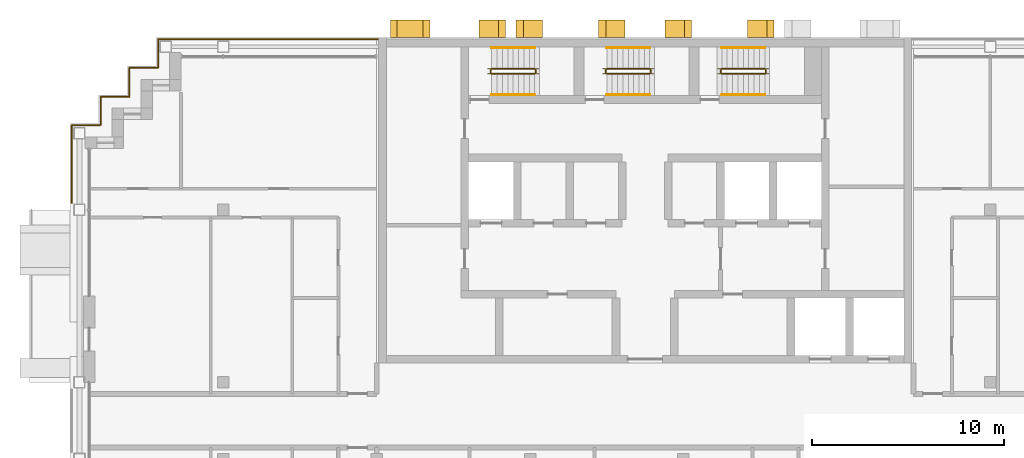
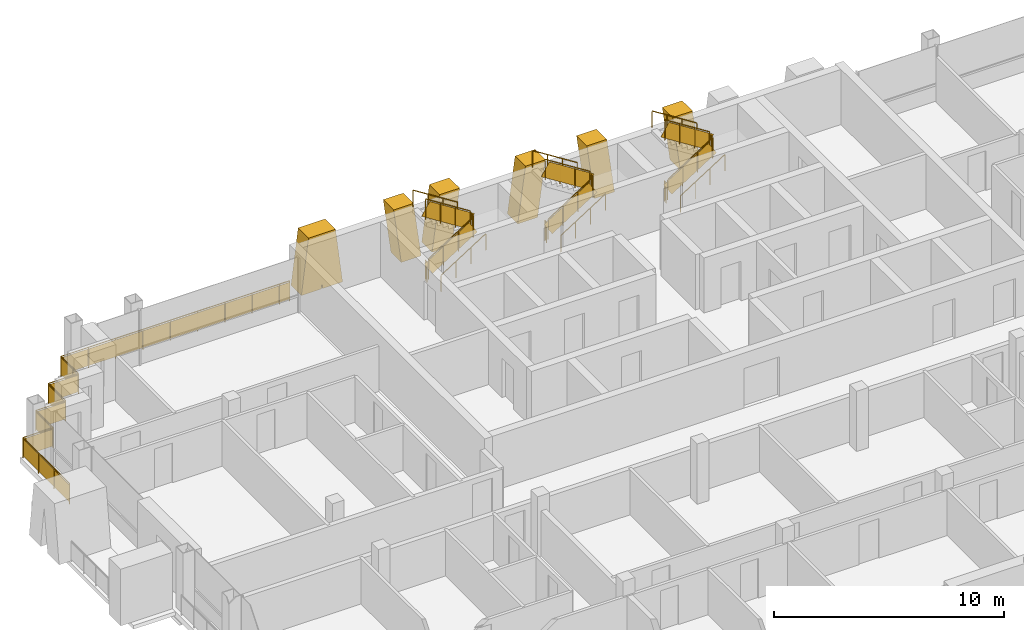
# One storey, part 14 of 15: 21 railings, 6 shading devices.
"""IFC4 building model written with IfcOpenShell, lengths in metres."""

from ifc_helpers import new_model, si_unit, direction, frame, origin, origin_2d, place, context, subcontext, project, spatial, polyline, rectangle, circle, outline, extrude, material, layer, layer_set, type_object, element, save


model = new_model("IFC4")

# Units and contexts
model_context = context("Model", 3, precision=1e-05, world=origin(), true_north=direction((0.0, 1.0)))
body_context = subcontext(model_context, "Body", "Model", "MODEL_VIEW")
ifc_project = project(units=[si_unit("LENGTHUNIT", "METRE"), si_unit("AREAUNIT", "SQUARE_METRE"), si_unit("VOLUMEUNIT", "CUBIC_METRE"), si_unit("PLANEANGLEUNIT", "RADIAN"), si_unit("MASSUNIT", "GRAM", prefix="KILO")], contexts=[model_context])

# Site, building, storey
site_placement = place(None, origin())
site = spatial("IfcSite", under=ifc_project, at=site_placement, CompositionType="ELEMENT")
building_placement = place(site_placement, origin())
building = spatial("IfcBuilding", under=site, at=building_placement, Name="Vidyagriha Tower", CompositionType="ELEMENT")
storey_placement = place(building_placement, frame((0.0, 0.0, 214.0)))
storey = spatial("IfcBuildingStorey", under=building, at=storey_placement, Name="L55", CompositionType="ELEMENT", Elevation=214.0)

# Shading devices
ifc_material_1 = material(Name="Precast concrete C40/50 with brick facing", Category="concrete")
ifc_layer_1 = layer(ifc_material_1, 1.0)
ifc_layer_set_1 = layer_set([ifc_layer_1], Name="Precast concrete C40/50 with brick facing")
shading_device_type_1 = type_object("IfcShadingDeviceType", Name="Brick-faced rear rib arm leaning 8 degrees", PredefinedType="USERDEFINED", material=ifc_layer_set_1)
for number, where, z_axis, x_axis, name in (
    (1, (6.728515625, 20.449951171875, 0.0), (0.0, 0.0, 1.0), (-1.0, 0.0, 0.0), "Rear rib arm L55 R08.2a"),
    (2, (2.4287109375, 20.449951171875, 0.0), (0.0, 0.0, 1.0), (-1.0, 0.0, 0.0), "Rear rib arm L55 R08.3a"),
):
    element("IfcShadingDevice", number, at=place(storey_placement, frame(where, z_axis=z_axis, x_axis=x_axis)), inside=storey, type_object=shading_device_type_1, Name=name, ObjectType="BLADE FIN", PredefinedType="USERDEFINED", context=body_context, shape_type="SweptSolid", body=[
        extrude(outline(polyline([(0.0, 0.0), (1.0, 0.0), (1.3857421875, 2.919921875), (0.3857421875, 2.919921875), (0.0, 0.0)])), frame((0.0, 0.449951171875, 0.0), z_axis=(0.0, -1.0, 0.0), x_axis=(1.0, 0.0, 0.0)), (0.0, 0.0, 1.0), 0.89990234375),
    ])
shading_device_1_placement = place(storey_placement, frame((-1.04296875, 20.449951171875, 0.0), z_axis=(0.0, 0.0, 1.0), x_axis=(-1.0, 0.0, 0.0)))
element("IfcShadingDevice", 3, at=shading_device_1_placement, inside=storey, type_object=shading_device_type_1, Name="Rear rib arm L55 R08.3b", ObjectType="BLADE FIN", PredefinedType="USERDEFINED", context=body_context, shape_type="SweptSolid", body=[
    extrude(outline(polyline([(0.3857421875, 0.0), (1.3857421875, 0.0), (1.0, 2.919921875), (0.0, 2.919921875), (0.3857421875, 0.0)])), frame((0.0, 0.449951171875, 0.0), z_axis=(0.0, -1.0, 0.0), x_axis=(1.0, 0.0, 0.0)), (0.0, 0.0, 1.0), 0.89990234375),
])
shading_device_2_placement = place(storey_placement, frame((-7.271484375, 20.449951171875, 0.0), z_axis=(0.0, 0.0, 1.0), x_axis=(-1.0, 0.0, 0.0)))
element("IfcShadingDevice", 4, at=shading_device_2_placement, inside=storey, type_object=shading_device_type_1, Name="Rear rib arm L55 R08.4a", ObjectType="BLADE FIN", PredefinedType="USERDEFINED", context=body_context, shape_type="SweptSolid", body=[
    extrude(outline(polyline([(0.0, 0.0), (1.0, 0.0), (1.3857421875, 2.919921875), (0.3857421875, 2.919921875), (0.0, 0.0)])), frame((0.0, 0.449951171875, 0.0), z_axis=(0.0, -1.0, 0.0), x_axis=(1.0, 0.0, 0.0)), (0.0, 0.0, 1.0), 0.89990234375),
])
shading_device_3_placement = place(storey_placement, frame((-5.343017578125, 20.449951171875, 0.0), z_axis=(0.0, 0.0, 1.0), x_axis=(-1.0, 0.0, 0.0)))
element("IfcShadingDevice", 5, at=shading_device_3_placement, inside=storey, type_object=shading_device_type_1, Name="Rear rib arm L55 R08.4b", ObjectType="BLADE FIN", PredefinedType="USERDEFINED", context=body_context, shape_type="SweptSolid", body=[
    extrude(outline(polyline([(0.3857421875, 0.0), (1.3857421875, 0.0), (1.0, 2.919921875), (0.0, 2.919921875), (0.3857421875, 0.0)])), frame((0.0, 0.449951171875, 0.0), z_axis=(0.0, -1.0, 0.0), x_axis=(1.0, 0.0, 0.0)), (0.0, 0.0, 1.0), 0.89990234375),
])
ifc_material_2 = material(Name="Precast concrete C40/50 with brick facing", Category="concrete")
ifc_layer_2 = layer(ifc_material_2, 1.0)
ifc_layer_set_2 = layer_set([ifc_layer_2], Name="Precast concrete C40/50 with brick facing")
shading_device_type_2 = type_object("IfcShadingDeviceType", Name="Brick-faced rear rib forking 8 degrees", PredefinedType="USERDEFINED", material=ifc_layer_set_2)
shading_device_4_placement = place(storey_placement, frame((-11.21435546875, 20.449951171875, 0.0), z_axis=(0.0, 0.0, 1.0), x_axis=(-1.0, 0.0, 0.0)))
element("IfcShadingDevice", 6, at=shading_device_4_placement, inside=storey, type_object=shading_device_type_2, Name="Rear rib fork L55 R08.5a", ObjectType="BLADE FIN", PredefinedType="USERDEFINED", context=body_context, shape_type="SweptSolid", body=[
    extrude(outline(polyline([(1.0, 0.0), (1.03564453125, 0.2919921875), (1.0712890625, 0.0), (2.0712890625, 0.0), (1.71435546875, 2.919921875), (0.357177734375, 2.919921875), (0.0, 0.0), (1.0, 0.0)])), frame((0.0, 0.449951171875, 0.0), z_axis=(0.0, -1.0, 0.0), x_axis=(1.0, 0.0, 0.0)), (0.0, 0.0, 1.0), 0.89990234375),
])

# Railings
ifc_material_3 = material(Name="Steel ASTM A500 Grade C black painted", Category="steel")
railing_type_1 = type_object("IfcRailingType", Name="Gallery guard 1100", PredefinedType="GUARDRAIL", material=ifc_material_3)
railing_1_placement = place(storey_placement, frame((-29.89990234375, 11.360107421875, 0.0)))
element("IfcRailing", 7, at=railing_1_placement, inside=storey, type_object=railing_type_1, Name="Gallery guard L55 4", PredefinedType="GUARDRAIL", context=body_context, shape_type="SweptSolid", body=[
    extrude(circle(Radius=0.02490234375, at=origin_2d()), frame((0.0, 0.0, 1.0751953125), z_axis=(0.0, 1.0, 0.0), x_axis=(-1.0, 0.0, 0.0)), (0.0, 0.0, 1.0), 4.039794921875),
    extrude(circle(Radius=0.02490234375, at=origin_2d()), frame((0.0, 4.039794921875, 1.0751953125), z_axis=(1.0, 0.0, 0.0), x_axis=(0.0, 1.0, 0.0)), (0.0, 0.0, 1.0), 1.5),
    extrude(circle(Radius=0.02490234375, at=origin_2d()), frame((1.5, 4.039794921875, 1.0751953125), z_axis=(0.0, 1.0, 0.0), x_axis=(-1.0, 0.0, 0.0)), (0.0, 0.0, 1.0), 1.5),
    extrude(circle(Radius=0.02490234375, at=origin_2d()), frame((1.5, 5.539794921875, 1.0751953125), z_axis=(1.0, 0.0, 0.0), x_axis=(0.0, 1.0, 0.0)), (0.0, 0.0, 1.0), 1.5),
    extrude(circle(Radius=0.02490234375, at=origin_2d()), frame((3.0, 5.539794921875, 1.0751953125), z_axis=(0.0, 1.0, 0.0), x_axis=(-1.0, 0.0, 0.0)), (0.0, 0.0, 1.0), 1.5),
    extrude(circle(Radius=0.02490234375, at=origin_2d()), frame((3.0, 7.039794921875, 1.0751953125), z_axis=(1.0, 0.0, 0.0), x_axis=(0.0, 1.0, 0.0)), (0.0, 0.0, 1.0), 1.5),
    extrude(circle(Radius=0.02490234375, at=origin_2d()), frame((4.5, 7.039794921875, 1.0751953125), z_axis=(0.0, 1.0, 0.0), x_axis=(-1.0, 0.0, 0.0)), (0.0, 0.0, 1.0), 0.460205078125),
    extrude(circle(Radius=0.02001953125, at=origin_2d()), origin(), (0.0, 0.0, 1.0), 1.050048828125),
    extrude(circle(Radius=0.02001953125, at=origin_2d()), frame((0.0, 1.3466796875, 0.0)), (0.0, 0.0, 1.0), 1.050048828125),
    extrude(circle(Radius=0.02001953125, at=origin_2d()), frame((0.0, 2.693115234375, 0.0)), (0.0, 0.0, 1.0), 1.050048828125),
    extrude(circle(Radius=0.02001953125, at=origin_2d()), frame((0.0, 4.039794921875, 0.0)), (0.0, 0.0, 1.0), 1.050048828125),
    extrude(circle(Radius=0.02001953125, at=origin_2d()), frame((1.5, 4.039794921875, 0.0)), (0.0, 0.0, 1.0), 1.050048828125),
    extrude(circle(Radius=0.02001953125, at=origin_2d()), frame((1.5, 5.539794921875, 0.0)), (0.0, 0.0, 1.0), 1.050048828125),
    extrude(circle(Radius=0.02001953125, at=origin_2d()), frame((3.0, 5.539794921875, 0.0)), (0.0, 0.0, 1.0), 1.050048828125),
    extrude(circle(Radius=0.02001953125, at=origin_2d()), frame((3.0, 7.039794921875, 0.0)), (0.0, 0.0, 1.0), 1.050048828125),
    extrude(circle(Radius=0.02001953125, at=origin_2d()), frame((4.5, 7.039794921875, 0.0)), (0.0, 0.0, 1.0), 1.050048828125),
    extrude(circle(Radius=0.02001953125, at=origin_2d()), frame((4.5, 7.5, 0.0)), (0.0, 0.0, 1.0), 1.050048828125),
    extrude(rectangle(XDim=0.010009765625, YDim=0.900146484375, at=origin_2d()), frame((0.0, 0.0, 0.550048828125), z_axis=(0.0, 1.0, 0.0), x_axis=(-1.0, 0.0, 0.0)), (0.0, 0.0, 1.0), 4.039794921875),
    extrude(rectangle(XDim=0.010009765625, YDim=0.900146484375, at=origin_2d()), frame((0.0, 4.039794921875, 0.550048828125), z_axis=(1.0, 0.0, 0.0), x_axis=(0.0, 1.0, 0.0)), (0.0, 0.0, 1.0), 1.5),
    extrude(rectangle(XDim=0.010009765625, YDim=0.900146484375, at=origin_2d()), frame((1.5, 4.039794921875, 0.550048828125), z_axis=(0.0, 1.0, 0.0), x_axis=(-1.0, 0.0, 0.0)), (0.0, 0.0, 1.0), 1.5),
    extrude(rectangle(XDim=0.010009765625, YDim=0.900146484375, at=origin_2d()), frame((1.5, 5.539794921875, 0.550048828125), z_axis=(1.0, 0.0, 0.0), x_axis=(0.0, 1.0, 0.0)), (0.0, 0.0, 1.0), 1.5),
    extrude(rectangle(XDim=0.010009765625, YDim=0.900146484375, at=origin_2d()), frame((3.0, 5.539794921875, 0.550048828125), z_axis=(0.0, 1.0, 0.0), x_axis=(-1.0, 0.0, 0.0)), (0.0, 0.0, 1.0), 1.5),
    extrude(rectangle(XDim=0.010009765625, YDim=0.900146484375, at=origin_2d()), frame((3.0, 7.039794921875, 0.550048828125), z_axis=(1.0, 0.0, 0.0), x_axis=(0.0, 1.0, 0.0)), (0.0, 0.0, 1.0), 1.5),
    extrude(rectangle(XDim=0.010009765625, YDim=0.900146484375, at=origin_2d()), frame((4.5, 7.039794921875, 0.550048828125), z_axis=(0.0, 1.0, 0.0), x_axis=(-1.0, 0.0, 0.0)), (0.0, 0.0, 1.0), 0.460205078125),
])
railing_2_placement = place(storey_placement, frame((-25.39990234375, 18.860107421875, 0.0)))
element("IfcRailing", 8, at=railing_2_placement, inside=storey, type_object=railing_type_1, Name="Gallery guard L55 5", PredefinedType="GUARDRAIL", context=body_context, shape_type="SweptSolid", body=[
    extrude(circle(Radius=0.02490234375, at=origin_2d()), frame((0.0, 0.0, 1.0751953125), z_axis=(0.0, 1.0, 0.0), x_axis=(-1.0, 0.0, 0.0)), (0.0, 0.0, 1.0), 1.039794921875),
    extrude(circle(Radius=0.02490234375, at=origin_2d()), frame((0.0, 1.039794921875, 1.0751953125), z_axis=(1.0, 0.0, 0.0), x_axis=(0.0, 1.0, 0.0)), (0.0, 0.0, 1.0), 10.9599609375),
    extrude(circle(Radius=0.02001953125, at=origin_2d()), origin(), (0.0, 0.0, 1.0), 1.050048828125),
    extrude(circle(Radius=0.02001953125, at=origin_2d()), frame((0.0, 1.039794921875, 0.0)), (0.0, 0.0, 1.0), 1.050048828125),
    extrude(circle(Radius=0.02001953125, at=origin_2d()), frame((1.3701171875, 1.039794921875, 0.0)), (0.0, 0.0, 1.0), 1.050048828125),
    extrude(circle(Radius=0.02001953125, at=origin_2d()), frame((2.739990234375, 1.039794921875, 0.0)), (0.0, 0.0, 1.0), 1.050048828125),
    extrude(circle(Radius=0.02001953125, at=origin_2d()), frame((4.10986328125, 1.039794921875, 0.0)), (0.0, 0.0, 1.0), 1.050048828125),
    extrude(circle(Radius=0.02001953125, at=origin_2d()), frame((5.47998046875, 1.039794921875, 0.0)), (0.0, 0.0, 1.0), 1.050048828125),
    extrude(circle(Radius=0.02001953125, at=origin_2d()), frame((6.85009765625, 1.039794921875, 0.0)), (0.0, 0.0, 1.0), 1.050048828125),
    extrude(circle(Radius=0.02001953125, at=origin_2d()), frame((8.219970703125, 1.039794921875, 0.0)), (0.0, 0.0, 1.0), 1.050048828125),
    extrude(circle(Radius=0.02001953125, at=origin_2d()), frame((9.58984375, 1.039794921875, 0.0)), (0.0, 0.0, 1.0), 1.050048828125),
    extrude(circle(Radius=0.02001953125, at=origin_2d()), frame((10.9599609375, 1.039794921875, 0.0)), (0.0, 0.0, 1.0), 1.050048828125),
    extrude(rectangle(XDim=0.010009765625, YDim=0.900146484375, at=origin_2d()), frame((0.0, 0.0, 0.550048828125), z_axis=(0.0, 1.0, 0.0), x_axis=(-1.0, 0.0, 0.0)), (0.0, 0.0, 1.0), 1.039794921875),
    extrude(rectangle(XDim=0.010009765625, YDim=0.900146484375, at=origin_2d()), frame((0.0, 1.039794921875, 0.550048828125), z_axis=(1.0, 0.0, 0.0), x_axis=(0.0, 1.0, 0.0)), (0.0, 0.0, 1.0), 10.9599609375),
])
railing_3_placement = place(storey_placement, frame((-14.43994140625, 19.89990234375, 0.0)))
element("IfcRailing", 9, at=railing_3_placement, inside=storey, type_object=railing_type_1, Name="Gallery guard L55 6", PredefinedType="GUARDRAIL", context=body_context, shape_type="SweptSolid", body=[
    extrude(circle(Radius=0.02490234375, at=origin_2d()), frame((0.0, 0.0, 1.0751953125), z_axis=(1.0, 0.0, 0.0), x_axis=(0.0, 1.0, 0.0)), (0.0, 0.0, 1.0), 0.510009765625),
    extrude(circle(Radius=0.02001953125, at=origin_2d()), origin(), (0.0, 0.0, 1.0), 1.050048828125),
    extrude(circle(Radius=0.02001953125, at=origin_2d()), frame((0.510009765625, 0.0, 0.0)), (0.0, 0.0, 1.0), 1.050048828125),
    extrude(rectangle(XDim=0.010009765625, YDim=0.900146484375, at=origin_2d()), frame((0.0, 0.0, 0.550048828125), z_axis=(1.0, 0.0, 0.0), x_axis=(0.0, 1.0, 0.0)), (0.0, 0.0, 1.0), 0.510009765625),
])
ifc_material_4 = material(Name="Steel ASTM A500 Grade C", Category="steel")
railing_type_2 = type_object("IfcRailingType", Name="Stair guard 1100 mm, steel balustrade", PredefinedType="GUARDRAIL", material=ifc_material_4)
railing_4_placement = place(storey_placement, frame((-8.0, 18.10009765625, 0.177734375)))
element("IfcRailing", 10, at=railing_4_placement, inside=storey, type_object=railing_type_2, Name="L55 ST1 stair guard 1", PredefinedType="GUARDRAIL", context=body_context, shape_type="SweptSolid", body=[
    extrude(circle(Radius=0.02392578125, at=origin_2d()), frame((0.0, 0.0, 1.076171875), z_axis=(0.84418770128, 0.0, 0.536047689118), x_axis=(0.0, 1.0, 0.0)), (0.0, 0.0, 1.0), 2.6533203125),
    extrude(circle(Radius=0.02099609375, at=origin_2d()), origin(), (0.0, 0.0, 1.0), 1.052001953125),
    extrude(circle(Radius=0.02099609375, at=origin_2d()), frame((0.74658203125, 0.0, 0.47412109375)), (0.0, 0.0, 1.0), 1.052001953125),
    extrude(circle(Radius=0.02099609375, at=origin_2d()), frame((1.493408203125, 0.0, 0.9482421875)), (0.0, 0.0, 1.0), 1.052001953125),
    extrude(circle(Radius=0.02099609375, at=origin_2d()), frame((2.239990234375, 0.0, 1.42236328125)), (0.0, 0.0, 1.0), 1.052001953125),
    extrude(rectangle(XDim=0.010009765625, YDim=0.761474609375, at=origin_2d()), frame((0.0, 0.0, 0.551025390625), z_axis=(0.84418770128, 0.0, 0.536047689118), x_axis=(0.0, 1.0, 0.0)), (0.0, 0.0, 1.0), 2.6533203125),
])
railing_5_placement = place(storey_placement, frame((-5.7099609375, 18.14990234375, 1.60009765625)))
element("IfcRailing", 11, at=railing_5_placement, inside=storey, type_object=railing_type_2, Name="L55 ST1 stair guard 2", PredefinedType="GUARDRAIL", context=body_context, shape_type="SweptSolid", body=[
    extrude(circle(Radius=0.02392578125, at=origin_2d()), frame((0.0, 0.0, 1.076171875), z_axis=(0.0, 1.0, 0.0), x_axis=(-1.0, 0.0, 0.0)), (0.0, 0.0, 1.0), 0.150146484375),
    extrude(circle(Radius=0.02099609375, at=origin_2d()), origin(), (0.0, 0.0, 1.0), 1.052001953125),
    extrude(circle(Radius=0.02099609375, at=origin_2d()), frame((0.0, 0.150146484375, 0.0)), (0.0, 0.0, 1.0), 1.052001953125),
    extrude(rectangle(XDim=0.010009765625, YDim=0.902099609375, at=origin_2d()), frame((0.0, 0.0, 0.551025390625), z_axis=(0.0, 1.0, 0.0), x_axis=(-1.0, 0.0, 0.0)), (0.0, 0.0, 1.0), 0.150146484375),
])
railing_6_placement = place(storey_placement, frame((-5.760009765625, 18.35009765625, 1.77783203125)))
element("IfcRailing", 12, at=railing_6_placement, inside=storey, type_object=railing_type_2, Name="L55 ST1 stair guard 3", PredefinedType="GUARDRAIL", context=body_context, shape_type="SweptSolid", body=[
    extrude(circle(Radius=0.02392578125, at=origin_2d()), frame((0.0, 0.0, 1.076171875), z_axis=(-0.8442293374, 0.0, 0.53598211339), x_axis=(0.0, -1.0, 0.0)), (0.0, 0.0, 1.0), 2.6533203125),
    extrude(circle(Radius=0.02099609375, at=origin_2d()), origin(), (0.0, 0.0, 1.0), 1.052001953125),
    extrude(circle(Radius=0.02099609375, at=origin_2d()), frame((-0.74658203125, 0.0, 0.47412109375)), (0.0, 0.0, 1.0), 1.052001953125),
    extrude(circle(Radius=0.02099609375, at=origin_2d()), frame((-1.493408203125, 0.0, 0.947998046875)), (0.0, 0.0, 1.0), 1.052001953125),
    extrude(circle(Radius=0.02099609375, at=origin_2d()), frame((-2.239990234375, 0.0, 1.422119140625)), (0.0, 0.0, 1.0), 1.052001953125),
    extrude(rectangle(XDim=0.010009765625, YDim=0.761474609375, at=origin_2d()), frame((0.0, 0.0, 0.551025390625), z_axis=(-0.8442293374, 0.0, 0.53598211339), x_axis=(0.0, -1.0, 0.0)), (0.0, 0.0, 1.0), 2.6533203125),
])
railing_7_placement = place(storey_placement, frame((-8.050048828125, 18.14990234375, 0.0)))
element("IfcRailing", 13, at=railing_7_placement, inside=storey, type_object=railing_type_2, Name="L55 ST1 stair guard 4", PredefinedType="GUARDRAIL", context=body_context, shape_type="SweptSolid", body=[
    extrude(circle(Radius=0.02392578125, at=origin_2d()), frame((0.0, 0.0, 1.076171875), z_axis=(0.0, 1.0, 0.0), x_axis=(-1.0, 0.0, 0.0)), (0.0, 0.0, 1.0), 0.150146484375),
    extrude(circle(Radius=0.02099609375, at=origin_2d()), origin(), (0.0, 0.0, 1.0), 1.052001953125),
    extrude(circle(Radius=0.02099609375, at=origin_2d()), frame((0.0, 0.150146484375, 0.0)), (0.0, 0.0, 1.0), 1.052001953125),
    extrude(rectangle(XDim=0.010009765625, YDim=0.902099609375, at=origin_2d()), frame((0.0, 0.0, 0.551025390625), z_axis=(0.0, 1.0, 0.0), x_axis=(-1.0, 0.0, 0.0)), (0.0, 0.0, 1.0), 0.150146484375),
])
railing_8_placement = place(storey_placement, frame((-2.0, 18.10009765625, 0.177734375)))
element("IfcRailing", 14, at=railing_8_placement, inside=storey, type_object=railing_type_2, Name="L55 ST2 stair guard 1", PredefinedType="GUARDRAIL", context=body_context, shape_type="SweptSolid", body=[
    extrude(circle(Radius=0.02392578125, at=origin_2d()), frame((0.0, 0.0, 1.076171875), z_axis=(0.84418770128, 0.0, 0.536047689118), x_axis=(0.0, 1.0, 0.0)), (0.0, 0.0, 1.0), 2.6533203125),
    extrude(circle(Radius=0.02099609375, at=origin_2d()), origin(), (0.0, 0.0, 1.0), 1.052001953125),
    extrude(circle(Radius=0.02099609375, at=origin_2d()), frame((0.74658203125, 0.0, 0.47412109375)), (0.0, 0.0, 1.0), 1.052001953125),
    extrude(circle(Radius=0.02099609375, at=origin_2d()), frame((1.493408203125, 0.0, 0.9482421875)), (0.0, 0.0, 1.0), 1.052001953125),
    extrude(circle(Radius=0.02099609375, at=origin_2d()), frame((2.239990234375, 0.0, 1.42236328125)), (0.0, 0.0, 1.0), 1.052001953125),
    extrude(rectangle(XDim=0.010009765625, YDim=0.761474609375, at=origin_2d()), frame((0.0, 0.0, 0.551025390625), z_axis=(0.84418770128, 0.0, 0.536047689118), x_axis=(0.0, 1.0, 0.0)), (0.0, 0.0, 1.0), 2.6533203125),
])
railing_9_placement = place(storey_placement, frame((0.2900390625, 18.14990234375, 1.60009765625)))
element("IfcRailing", 15, at=railing_9_placement, inside=storey, type_object=railing_type_2, Name="L55 ST2 stair guard 2", PredefinedType="GUARDRAIL", context=body_context, shape_type="SweptSolid", body=[
    extrude(circle(Radius=0.02392578125, at=origin_2d()), frame((0.0, 0.0, 1.076171875), z_axis=(0.0, 1.0, 0.0), x_axis=(-1.0, 0.0, 0.0)), (0.0, 0.0, 1.0), 0.150146484375),
    extrude(circle(Radius=0.02099609375, at=origin_2d()), origin(), (0.0, 0.0, 1.0), 1.052001953125),
    extrude(circle(Radius=0.02099609375, at=origin_2d()), frame((0.0, 0.150146484375, 0.0)), (0.0, 0.0, 1.0), 1.052001953125),
    extrude(rectangle(XDim=0.010009765625, YDim=0.902099609375, at=origin_2d()), frame((0.0, 0.0, 0.551025390625), z_axis=(0.0, 1.0, 0.0), x_axis=(-1.0, 0.0, 0.0)), (0.0, 0.0, 1.0), 0.150146484375),
])
railing_10_placement = place(storey_placement, frame((0.239990234375, 18.35009765625, 1.77783203125)))
element("IfcRailing", 16, at=railing_10_placement, inside=storey, type_object=railing_type_2, Name="L55 ST2 stair guard 3", PredefinedType="GUARDRAIL", context=body_context, shape_type="SweptSolid", body=[
    extrude(circle(Radius=0.02392578125, at=origin_2d()), frame((0.0, 0.0, 1.076171875), z_axis=(-0.8442293374, 0.0, 0.53598211339), x_axis=(0.0, -1.0, 0.0)), (0.0, 0.0, 1.0), 2.6533203125),
    extrude(circle(Radius=0.02099609375, at=origin_2d()), origin(), (0.0, 0.0, 1.0), 1.052001953125),
    extrude(circle(Radius=0.02099609375, at=origin_2d()), frame((-0.74658203125, 0.0, 0.47412109375)), (0.0, 0.0, 1.0), 1.052001953125),
    extrude(circle(Radius=0.02099609375, at=origin_2d()), frame((-1.493408203125, 0.0, 0.947998046875)), (0.0, 0.0, 1.0), 1.052001953125),
    extrude(circle(Radius=0.02099609375, at=origin_2d()), frame((-2.239990234375, 0.0, 1.422119140625)), (0.0, 0.0, 1.0), 1.052001953125),
    extrude(rectangle(XDim=0.010009765625, YDim=0.761474609375, at=origin_2d()), frame((0.0, 0.0, 0.551025390625), z_axis=(-0.8442293374, 0.0, 0.53598211339), x_axis=(0.0, -1.0, 0.0)), (0.0, 0.0, 1.0), 2.6533203125),
])
railing_11_placement = place(storey_placement, frame((-2.050048828125, 18.14990234375, 0.0)))
element("IfcRailing", 17, at=railing_11_placement, inside=storey, type_object=railing_type_2, Name="L55 ST2 stair guard 4", PredefinedType="GUARDRAIL", context=body_context, shape_type="SweptSolid", body=[
    extrude(circle(Radius=0.02392578125, at=origin_2d()), frame((0.0, 0.0, 1.076171875), z_axis=(0.0, 1.0, 0.0), x_axis=(-1.0, 0.0, 0.0)), (0.0, 0.0, 1.0), 0.150146484375),
    extrude(circle(Radius=0.02099609375, at=origin_2d()), origin(), (0.0, 0.0, 1.0), 1.052001953125),
    extrude(circle(Radius=0.02099609375, at=origin_2d()), frame((0.0, 0.150146484375, 0.0)), (0.0, 0.0, 1.0), 1.052001953125),
    extrude(rectangle(XDim=0.010009765625, YDim=0.902099609375, at=origin_2d()), frame((0.0, 0.0, 0.551025390625), z_axis=(0.0, 1.0, 0.0), x_axis=(-1.0, 0.0, 0.0)), (0.0, 0.0, 1.0), 0.150146484375),
])
railing_12_placement = place(storey_placement, frame((4.0, 18.10009765625, 0.177734375)))
element("IfcRailing", 18, at=railing_12_placement, inside=storey, type_object=railing_type_2, Name="L55 ST3 stair guard 1", PredefinedType="GUARDRAIL", context=body_context, shape_type="SweptSolid", body=[
    extrude(circle(Radius=0.02392578125, at=origin_2d()), frame((0.0, 0.0, 1.076171875), z_axis=(0.84418770128, 0.0, 0.536047689118), x_axis=(0.0, 1.0, 0.0)), (0.0, 0.0, 1.0), 2.6533203125),
    extrude(circle(Radius=0.02099609375, at=origin_2d()), origin(), (0.0, 0.0, 1.0), 1.052001953125),
    extrude(circle(Radius=0.02099609375, at=origin_2d()), frame((0.74658203125, 0.0, 0.47412109375)), (0.0, 0.0, 1.0), 1.052001953125),
    extrude(circle(Radius=0.02099609375, at=origin_2d()), frame((1.493408203125, 0.0, 0.9482421875)), (0.0, 0.0, 1.0), 1.052001953125),
    extrude(circle(Radius=0.02099609375, at=origin_2d()), frame((2.239990234375, 0.0, 1.42236328125)), (0.0, 0.0, 1.0), 1.052001953125),
    extrude(rectangle(XDim=0.010009765625, YDim=0.761474609375, at=origin_2d()), frame((0.0, 0.0, 0.551025390625), z_axis=(0.84418770128, 0.0, 0.536047689118), x_axis=(0.0, 1.0, 0.0)), (0.0, 0.0, 1.0), 2.6533203125),
])
railing_13_placement = place(storey_placement, frame((6.2900390625, 18.14990234375, 1.60009765625)))
element("IfcRailing", 19, at=railing_13_placement, inside=storey, type_object=railing_type_2, Name="L55 ST3 stair guard 2", PredefinedType="GUARDRAIL", context=body_context, shape_type="SweptSolid", body=[
    extrude(circle(Radius=0.02392578125, at=origin_2d()), frame((0.0, 0.0, 1.076171875), z_axis=(0.0, 1.0, 0.0), x_axis=(-1.0, 0.0, 0.0)), (0.0, 0.0, 1.0), 0.150146484375),
    extrude(circle(Radius=0.02099609375, at=origin_2d()), origin(), (0.0, 0.0, 1.0), 1.052001953125),
    extrude(circle(Radius=0.02099609375, at=origin_2d()), frame((0.0, 0.150146484375, 0.0)), (0.0, 0.0, 1.0), 1.052001953125),
    extrude(rectangle(XDim=0.010009765625, YDim=0.902099609375, at=origin_2d()), frame((0.0, 0.0, 0.551025390625), z_axis=(0.0, 1.0, 0.0), x_axis=(-1.0, 0.0, 0.0)), (0.0, 0.0, 1.0), 0.150146484375),
])
railing_14_placement = place(storey_placement, frame((6.239990234375, 18.35009765625, 1.77783203125)))
element("IfcRailing", 20, at=railing_14_placement, inside=storey, type_object=railing_type_2, Name="L55 ST3 stair guard 3", PredefinedType="GUARDRAIL", context=body_context, shape_type="SweptSolid", body=[
    extrude(circle(Radius=0.02392578125, at=origin_2d()), frame((0.0, 0.0, 1.076171875), z_axis=(-0.8442293374, 0.0, 0.53598211339), x_axis=(0.0, -1.0, 0.0)), (0.0, 0.0, 1.0), 2.6533203125),
    extrude(circle(Radius=0.02099609375, at=origin_2d()), origin(), (0.0, 0.0, 1.0), 1.052001953125),
    extrude(circle(Radius=0.02099609375, at=origin_2d()), frame((-0.74658203125, 0.0, 0.47412109375)), (0.0, 0.0, 1.0), 1.052001953125),
    extrude(circle(Radius=0.02099609375, at=origin_2d()), frame((-1.493408203125, 0.0, 0.947998046875)), (0.0, 0.0, 1.0), 1.052001953125),
    extrude(circle(Radius=0.02099609375, at=origin_2d()), frame((-2.239990234375, 0.0, 1.422119140625)), (0.0, 0.0, 1.0), 1.052001953125),
    extrude(rectangle(XDim=0.010009765625, YDim=0.761474609375, at=origin_2d()), frame((0.0, 0.0, 0.551025390625), z_axis=(-0.8442293374, 0.0, 0.53598211339), x_axis=(0.0, -1.0, 0.0)), (0.0, 0.0, 1.0), 2.6533203125),
])
railing_15_placement = place(storey_placement, frame((3.949951171875, 18.14990234375, 0.0)))
element("IfcRailing", 21, at=railing_15_placement, inside=storey, type_object=railing_type_2, Name="L55 ST3 stair guard 4", PredefinedType="GUARDRAIL", context=body_context, shape_type="SweptSolid", body=[
    extrude(circle(Radius=0.02392578125, at=origin_2d()), frame((0.0, 0.0, 1.076171875), z_axis=(0.0, 1.0, 0.0), x_axis=(-1.0, 0.0, 0.0)), (0.0, 0.0, 1.0), 0.150146484375),
    extrude(circle(Radius=0.02099609375, at=origin_2d()), origin(), (0.0, 0.0, 1.0), 1.052001953125),
    extrude(circle(Radius=0.02099609375, at=origin_2d()), frame((0.0, 0.150146484375, 0.0)), (0.0, 0.0, 1.0), 1.052001953125),
    extrude(rectangle(XDim=0.010009765625, YDim=0.902099609375, at=origin_2d()), frame((0.0, 0.0, 0.551025390625), z_axis=(0.0, 1.0, 0.0), x_axis=(-1.0, 0.0, 0.0)), (0.0, 0.0, 1.0), 0.150146484375),
])
ifc_material_5 = material(Name="Steel ASTM A500 Grade C", Category="steel")
railing_type_3 = type_object("IfcRailingType", Name="Stair handrail 900 mm, steel", PredefinedType="HANDRAIL", material=ifc_material_5)
railing_16_placement = place(storey_placement, frame((-8.0, 17.0, 0.177734375)))
element("IfcRailing", 22, at=railing_16_placement, inside=storey, type_object=railing_type_3, Name="L55 ST1 stair handrail 1", PredefinedType="HANDRAIL", context=body_context, shape_type="SweptSolid", body=[
    extrude(circle(Radius=0.02392578125, at=origin_2d()), frame((0.0, 0.0, 0.8759765625), z_axis=(0.84418770128, 0.0, 0.536047689118), x_axis=(0.0, 1.0, 0.0)), (0.0, 0.0, 1.0), 2.6533203125),
    extrude(circle(Radius=0.02099609375, at=origin_2d()), origin(), (0.0, 0.0, 1.0), 0.851806640625),
    extrude(circle(Radius=0.02099609375, at=origin_2d()), frame((0.74658203125, 0.0, 0.47412109375)), (0.0, 0.0, 1.0), 0.851806640625),
    extrude(circle(Radius=0.02099609375, at=origin_2d()), frame((1.493408203125, 0.0, 0.9482421875)), (0.0, 0.0, 1.0), 0.851806640625),
    extrude(circle(Radius=0.02099609375, at=origin_2d()), frame((2.239990234375, 0.0, 1.42236328125)), (0.0, 0.0, 1.0), 0.851806640625),
])
railing_17_placement = place(storey_placement, frame((-5.760009765625, 19.449951171875, 1.77783203125)))
element("IfcRailing", 23, at=railing_17_placement, inside=storey, type_object=railing_type_3, Name="L55 ST1 stair handrail 2", PredefinedType="HANDRAIL", context=body_context, shape_type="SweptSolid", body=[
    extrude(circle(Radius=0.02392578125, at=origin_2d()), frame((0.0, 0.0, 0.8759765625), z_axis=(-0.8442293374, 0.0, 0.53598211339), x_axis=(0.0, -1.0, 0.0)), (0.0, 0.0, 1.0), 2.6533203125),
    extrude(circle(Radius=0.02099609375, at=origin_2d()), origin(), (0.0, 0.0, 1.0), 0.851806640625),
    extrude(circle(Radius=0.02099609375, at=origin_2d()), frame((-0.74658203125, 0.0, 0.47412109375)), (0.0, 0.0, 1.0), 0.851806640625),
    extrude(circle(Radius=0.02099609375, at=origin_2d()), frame((-1.493408203125, 0.0, 0.947998046875)), (0.0, 0.0, 1.0), 0.851806640625),
    extrude(circle(Radius=0.02099609375, at=origin_2d()), frame((-2.239990234375, 0.0, 1.422119140625)), (0.0, 0.0, 1.0), 0.851806640625),
])
railing_18_placement = place(storey_placement, frame((-2.0, 17.0, 0.177734375)))
element("IfcRailing", 24, at=railing_18_placement, inside=storey, type_object=railing_type_3, Name="L55 ST2 stair handrail 1", PredefinedType="HANDRAIL", context=body_context, shape_type="SweptSolid", body=[
    extrude(circle(Radius=0.02392578125, at=origin_2d()), frame((0.0, 0.0, 0.8759765625), z_axis=(0.84418770128, 0.0, 0.536047689118), x_axis=(0.0, 1.0, 0.0)), (0.0, 0.0, 1.0), 2.6533203125),
    extrude(circle(Radius=0.02099609375, at=origin_2d()), origin(), (0.0, 0.0, 1.0), 0.851806640625),
    extrude(circle(Radius=0.02099609375, at=origin_2d()), frame((0.74658203125, 0.0, 0.47412109375)), (0.0, 0.0, 1.0), 0.851806640625),
    extrude(circle(Radius=0.02099609375, at=origin_2d()), frame((1.493408203125, 0.0, 0.9482421875)), (0.0, 0.0, 1.0), 0.851806640625),
    extrude(circle(Radius=0.02099609375, at=origin_2d()), frame((2.239990234375, 0.0, 1.42236328125)), (0.0, 0.0, 1.0), 0.851806640625),
])
railing_19_placement = place(storey_placement, frame((0.239990234375, 19.449951171875, 1.77783203125)))
element("IfcRailing", 25, at=railing_19_placement, inside=storey, type_object=railing_type_3, Name="L55 ST2 stair handrail 2", PredefinedType="HANDRAIL", context=body_context, shape_type="SweptSolid", body=[
    extrude(circle(Radius=0.02392578125, at=origin_2d()), frame((0.0, 0.0, 0.8759765625), z_axis=(-0.8442293374, 0.0, 0.53598211339), x_axis=(0.0, -1.0, 0.0)), (0.0, 0.0, 1.0), 2.6533203125),
    extrude(circle(Radius=0.02099609375, at=origin_2d()), origin(), (0.0, 0.0, 1.0), 0.851806640625),
    extrude(circle(Radius=0.02099609375, at=origin_2d()), frame((-0.74658203125, 0.0, 0.47412109375)), (0.0, 0.0, 1.0), 0.851806640625),
    extrude(circle(Radius=0.02099609375, at=origin_2d()), frame((-1.493408203125, 0.0, 0.947998046875)), (0.0, 0.0, 1.0), 0.851806640625),
    extrude(circle(Radius=0.02099609375, at=origin_2d()), frame((-2.239990234375, 0.0, 1.422119140625)), (0.0, 0.0, 1.0), 0.851806640625),
])
railing_20_placement = place(storey_placement, frame((4.0, 17.0, 0.177734375)))
element("IfcRailing", 26, at=railing_20_placement, inside=storey, type_object=railing_type_3, Name="L55 ST3 stair handrail 1", PredefinedType="HANDRAIL", context=body_context, shape_type="SweptSolid", body=[
    extrude(circle(Radius=0.02392578125, at=origin_2d()), frame((0.0, 0.0, 0.8759765625), z_axis=(0.84418770128, 0.0, 0.536047689118), x_axis=(0.0, 1.0, 0.0)), (0.0, 0.0, 1.0), 2.6533203125),
    extrude(circle(Radius=0.02099609375, at=origin_2d()), origin(), (0.0, 0.0, 1.0), 0.851806640625),
    extrude(circle(Radius=0.02099609375, at=origin_2d()), frame((0.74658203125, 0.0, 0.47412109375)), (0.0, 0.0, 1.0), 0.851806640625),
    extrude(circle(Radius=0.02099609375, at=origin_2d()), frame((1.493408203125, 0.0, 0.9482421875)), (0.0, 0.0, 1.0), 0.851806640625),
    extrude(circle(Radius=0.02099609375, at=origin_2d()), frame((2.239990234375, 0.0, 1.42236328125)), (0.0, 0.0, 1.0), 0.851806640625),
])
railing_21_placement = place(storey_placement, frame((6.239990234375, 19.449951171875, 1.77783203125)))
element("IfcRailing", 27, at=railing_21_placement, inside=storey, type_object=railing_type_3, Name="L55 ST3 stair handrail 2", PredefinedType="HANDRAIL", context=body_context, shape_type="SweptSolid", body=[
    extrude(circle(Radius=0.02392578125, at=origin_2d()), frame((0.0, 0.0, 0.8759765625), z_axis=(-0.8442293374, 0.0, 0.53598211339), x_axis=(0.0, -1.0, 0.0)), (0.0, 0.0, 1.0), 2.6533203125),
    extrude(circle(Radius=0.02099609375, at=origin_2d()), origin(), (0.0, 0.0, 1.0), 0.851806640625),
    extrude(circle(Radius=0.02099609375, at=origin_2d()), frame((-0.74658203125, 0.0, 0.47412109375)), (0.0, 0.0, 1.0), 0.851806640625),
    extrude(circle(Radius=0.02099609375, at=origin_2d()), frame((-1.493408203125, 0.0, 0.947998046875)), (0.0, 0.0, 1.0), 0.851806640625),
    extrude(circle(Radius=0.02099609375, at=origin_2d()), frame((-2.239990234375, 0.0, 1.422119140625)), (0.0, 0.0, 1.0), 0.851806640625),
])

save(model, "model.ifc")
